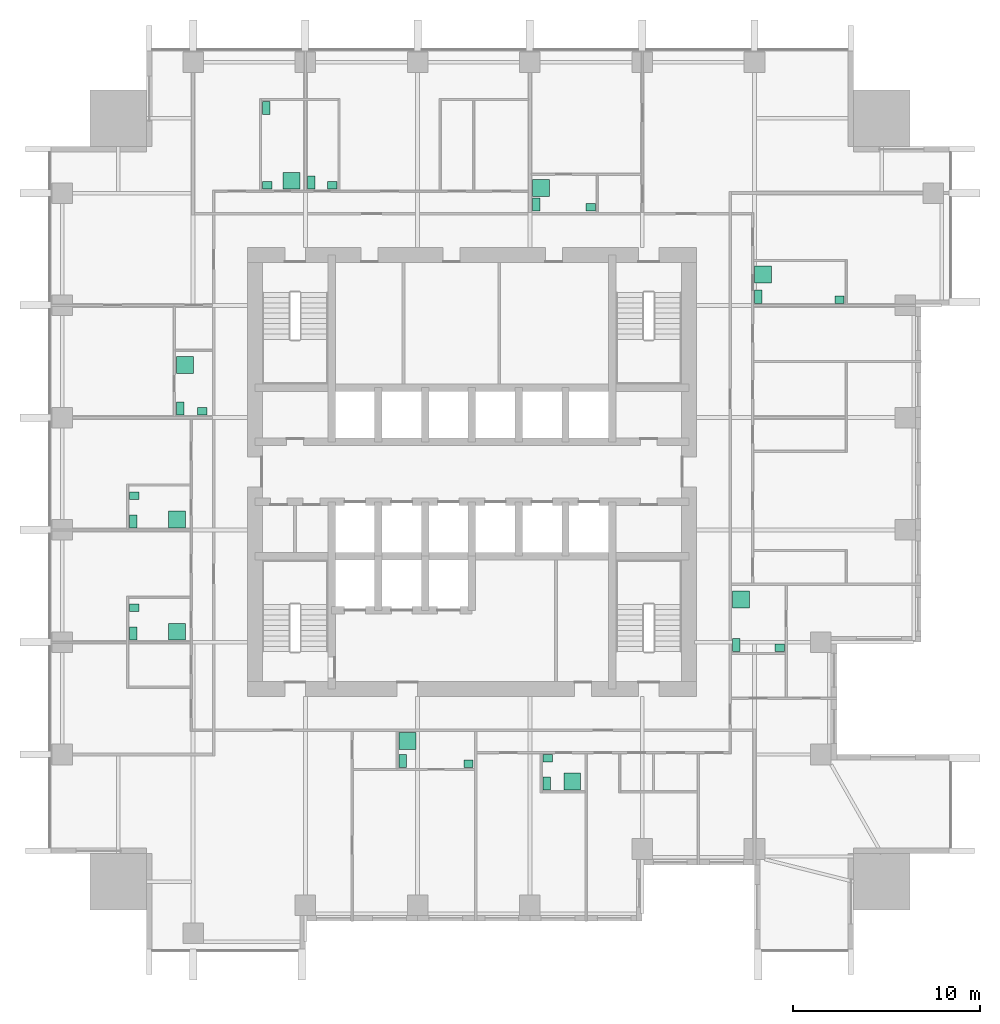
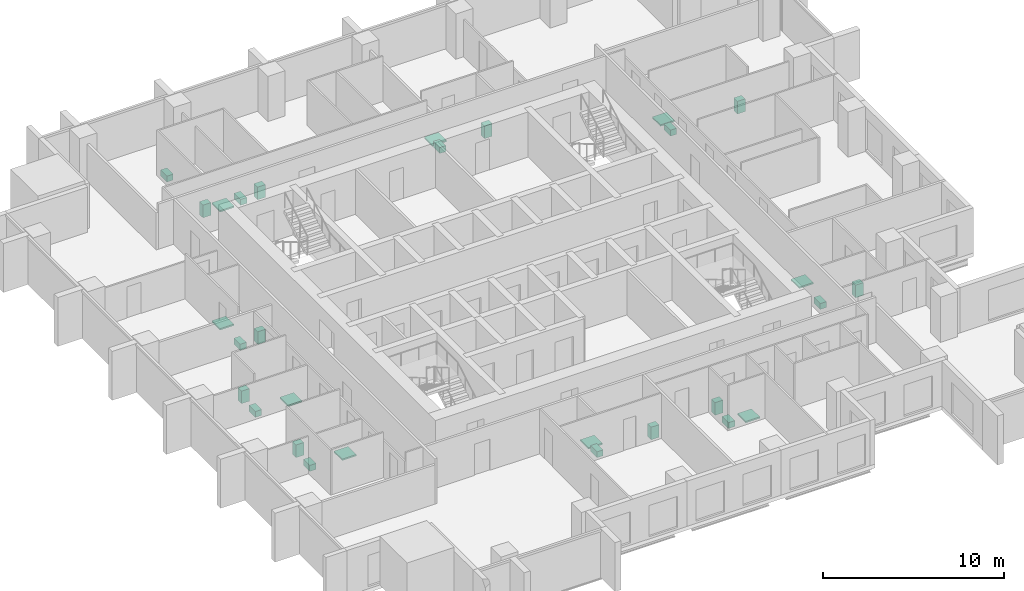
# One storey, part 10 of 10: 29 sanitary terminals.
"""IFC4 building model written with IfcOpenShell, lengths in metres."""

from ifc_helpers import new_model, si_unit, direction, frame, origin, origin_2d, place, context, subcontext, project, spatial, rectangle, extrude, element, save


model = new_model("IFC4")

# Units and contexts
model_context = context("Model", 3, precision=1e-05, world=origin(), true_north=direction((0.0, 1.0)))
body_context = subcontext(model_context, "Body", "Model", "MODEL_VIEW")
ifc_project = project(units=[si_unit("LENGTHUNIT", "METRE"), si_unit("AREAUNIT", "SQUARE_METRE"), si_unit("VOLUMEUNIT", "CUBIC_METRE"), si_unit("PLANEANGLEUNIT", "RADIAN"), si_unit("MASSUNIT", "GRAM", prefix="KILO")], contexts=[model_context])

# Site, building, storey
site_placement = place(None, origin())
site = spatial("IfcSite", under=ifc_project, at=site_placement, CompositionType="ELEMENT")
building_placement = place(site_placement, origin())
building = spatial("IfcBuilding", under=site, at=building_placement, Name="Amberfall Residences", CompositionType="ELEMENT")
storey_placement = place(building_placement, frame((0.0, 0.0, 82.0)))
storey = spatial("IfcBuildingStorey", under=building, at=storey_placement, Name="L21", CompositionType="ELEMENT", Elevation=82.0)

# Sanitary terminals
sanitary_terminal_1_placement = place(storey_placement, frame((70.81005859375, 30.06005859375, 0.0), z_axis=(0.0, 0.0, 1.0), x_axis=(1.0, 0.0, 0.0)))
element("IfcSanitaryTerminal", 1, at=sanitary_terminal_1_placement, inside=storey, Name="Water closet 2101", PredefinedType="TOILETPAN", context=body_context, shape_type="SweptSolid", body=[
    extrude(rectangle(XDim=0.39990234375, YDim=0.699951171875, at=origin_2d()), origin(), (0.0, 0.0, 1.0), 0.39990234375),
])
sanitary_terminal_2_placement = place(storey_placement, frame((74.31494140625, 29.909912109375, 0.0), z_axis=(0.0, 0.0, 1.0), x_axis=(1.0, 0.0, 0.0)))
element("IfcSanitaryTerminal", 2, at=sanitary_terminal_2_placement, inside=storey, Name="Basin 2101", PredefinedType="WASHHANDBASIN", context=body_context, shape_type="SweptSolid", body=[
    extrude(rectangle(XDim=0.5, YDim=0.39990234375, at=origin_2d()), origin(), (0.0, 0.0, 1.0), 0.85009765625),
])
sanitary_terminal_3_placement = place(storey_placement, frame((71.06005859375, 31.114990234375, 0.0), z_axis=(0.0, 0.0, 1.0), x_axis=(1.0, 0.0, 0.0)))
element("IfcSanitaryTerminal", 3, at=sanitary_terminal_3_placement, inside=storey, Name="Shower tray 2101", PredefinedType="SHOWER", context=body_context, shape_type="SweptSolid", body=[
    extrude(rectangle(XDim=0.89990234375, YDim=0.89990234375, at=origin_2d()), origin(), (0.0, 0.0, 1.0), 0.10009765625),
])
sanitary_terminal_4_placement = place(storey_placement, frame((78.510009765625, 28.860107421875, 0.0), z_axis=(0.0, 0.0, 1.0), x_axis=(1.0, 0.0, 0.0)))
element("IfcSanitaryTerminal", 4, at=sanitary_terminal_4_placement, inside=storey, Name="Water closet 2102", PredefinedType="TOILETPAN", context=body_context, shape_type="SweptSolid", body=[
    extrude(rectangle(XDim=0.39990234375, YDim=0.699951171875, at=origin_2d()), origin(), (0.0, 0.0, 1.0), 0.39990234375),
])
sanitary_terminal_5_placement = place(storey_placement, frame((78.56005859375, 30.18994140625, 0.0), z_axis=(0.0, 0.0, 1.0), x_axis=(1.0, 0.0, 0.0)))
element("IfcSanitaryTerminal", 5, at=sanitary_terminal_5_placement, inside=storey, Name="Basin 2102", PredefinedType="WASHHANDBASIN", context=body_context, shape_type="SweptSolid", body=[
    extrude(rectangle(XDim=0.5, YDim=0.39990234375, at=origin_2d()), origin(), (0.0, 0.0, 1.0), 0.85009765625),
])
sanitary_terminal_6_placement = place(storey_placement, frame((79.857177734375, 28.9599609375, 0.0), z_axis=(0.0, 0.0, 1.0), x_axis=(1.0, 0.0, 0.0)))
element("IfcSanitaryTerminal", 6, at=sanitary_terminal_6_placement, inside=storey, Name="Shower tray 2102", PredefinedType="SHOWER", context=body_context, shape_type="SweptSolid", body=[
    extrude(rectangle(XDim=0.89990234375, YDim=0.89990234375, at=origin_2d()), origin(), (0.0, 0.0, 1.0), 0.10009765625),
])
sanitary_terminal_7_placement = place(storey_placement, frame((88.635009765625, 36.260009765625, 0.0), z_axis=(0.0, 0.0, 1.0), x_axis=(1.0, 0.0, 0.0)))
element("IfcSanitaryTerminal", 7, at=sanitary_terminal_7_placement, inside=storey, Name="Water closet 2103", PredefinedType="TOILETPAN", context=body_context, shape_type="SweptSolid", body=[
    extrude(rectangle(XDim=0.39990234375, YDim=0.699951171875, at=origin_2d()), origin(), (0.0, 0.0, 1.0), 0.39990234375),
])
sanitary_terminal_8_placement = place(storey_placement, frame((90.93994140625, 36.110107421875, 0.0), z_axis=(0.0, 0.0, 1.0), x_axis=(1.0, 0.0, 0.0)))
element("IfcSanitaryTerminal", 8, at=sanitary_terminal_8_placement, inside=storey, Name="Basin 2103", PredefinedType="WASHHANDBASIN", context=body_context, shape_type="SweptSolid", body=[
    extrude(rectangle(XDim=0.5, YDim=0.39990234375, at=origin_2d()), origin(), (0.0, 0.0, 1.0), 0.85009765625),
])
sanitary_terminal_9_placement = place(storey_placement, frame((88.885009765625, 38.6826171875, 0.0), z_axis=(0.0, 0.0, 1.0), x_axis=(1.0, 0.0, 0.0)))
element("IfcSanitaryTerminal", 9, at=sanitary_terminal_9_placement, inside=storey, Name="Shower tray 2103", PredefinedType="SHOWER", context=body_context, shape_type="SweptSolid", body=[
    extrude(rectangle(XDim=0.89990234375, YDim=0.89990234375, at=origin_2d()), origin(), (0.0, 0.0, 1.0), 0.10009765625),
])
sanitary_terminal_10_placement = place(storey_placement, frame((89.81005859375, 54.860107421875, 0.0), z_axis=(0.0, 0.0, 1.0), x_axis=(1.0, 0.0, 0.0)))
element("IfcSanitaryTerminal", 10, at=sanitary_terminal_10_placement, inside=storey, Name="Water closet 2104", PredefinedType="TOILETPAN", context=body_context, shape_type="SweptSolid", body=[
    extrude(rectangle(XDim=0.39990234375, YDim=0.699951171875, at=origin_2d()), origin(), (0.0, 0.0, 1.0), 0.39990234375),
])
sanitary_terminal_11_placement = place(storey_placement, frame((94.139892578125, 54.7099609375, 0.0), z_axis=(0.0, 0.0, 1.0), x_axis=(1.0, 0.0, 0.0)))
element("IfcSanitaryTerminal", 11, at=sanitary_terminal_11_placement, inside=storey, Name="Basin 2104", PredefinedType="WASHHANDBASIN", context=body_context, shape_type="SweptSolid", body=[
    extrude(rectangle(XDim=0.5, YDim=0.39990234375, at=origin_2d()), origin(), (0.0, 0.0, 1.0), 0.85009765625),
])
sanitary_terminal_12_placement = place(storey_placement, frame((90.06005859375, 56.05712890625, 0.0), z_axis=(0.0, 0.0, 1.0), x_axis=(1.0, 0.0, 0.0)))
element("IfcSanitaryTerminal", 12, at=sanitary_terminal_12_placement, inside=storey, Name="Shower tray 2104", PredefinedType="SHOWER", context=body_context, shape_type="SweptSolid", body=[
    extrude(rectangle(XDim=0.89990234375, YDim=0.89990234375, at=origin_2d()), origin(), (0.0, 0.0, 1.0), 0.10009765625),
])
sanitary_terminal_13_placement = place(storey_placement, frame((65.909912109375, 60.9599609375, 0.0), z_axis=(0.0, 0.0, 1.0), x_axis=(1.0, 0.0, 0.0)))
element("IfcSanitaryTerminal", 13, at=sanitary_terminal_13_placement, inside=storey, Name="Water closet 2105 1", PredefinedType="TOILETPAN", context=body_context, shape_type="SweptSolid", body=[
    extrude(rectangle(XDim=0.39990234375, YDim=0.699951171875, at=origin_2d()), origin(), (0.0, 0.0, 1.0), 0.39990234375),
])
sanitary_terminal_14_placement = place(storey_placement, frame((67.0400390625, 60.81005859375, 0.0), z_axis=(0.0, 0.0, 1.0), x_axis=(1.0, 0.0, 0.0)))
element("IfcSanitaryTerminal", 14, at=sanitary_terminal_14_placement, inside=storey, Name="Basin 2105 1", PredefinedType="WASHHANDBASIN", context=body_context, shape_type="SweptSolid", body=[
    extrude(rectangle(XDim=0.5, YDim=0.39990234375, at=origin_2d()), origin(), (0.0, 0.0, 1.0), 0.85009765625),
])
sanitary_terminal_15_placement = place(storey_placement, frame((63.510009765625, 64.93994140625, 0.0), z_axis=(0.0, 0.0, 1.0), x_axis=(1.0, 0.0, 0.0)))
element("IfcSanitaryTerminal", 15, at=sanitary_terminal_15_placement, inside=storey, Name="Water closet 2105", PredefinedType="TOILETPAN", context=body_context, shape_type="SweptSolid", body=[
    extrude(rectangle(XDim=0.39990234375, YDim=0.699951171875, at=origin_2d()), origin(), (0.0, 0.0, 1.0), 0.39990234375),
])
sanitary_terminal_16_placement = place(storey_placement, frame((63.56005859375, 60.81005859375, 0.0), z_axis=(0.0, 0.0, 1.0), x_axis=(1.0, 0.0, 0.0)))
element("IfcSanitaryTerminal", 16, at=sanitary_terminal_16_placement, inside=storey, Name="Basin 2105", PredefinedType="WASHHANDBASIN", context=body_context, shape_type="SweptSolid", body=[
    extrude(rectangle(XDim=0.5, YDim=0.39990234375, at=origin_2d()), origin(), (0.0, 0.0, 1.0), 0.85009765625),
])
sanitary_terminal_17_placement = place(storey_placement, frame((64.857177734375, 61.06005859375, 0.0), z_axis=(0.0, 0.0, 1.0), x_axis=(1.0, 0.0, 0.0)))
element("IfcSanitaryTerminal", 17, at=sanitary_terminal_17_placement, inside=storey, Name="Shower tray 2105", PredefinedType="SHOWER", context=body_context, shape_type="SweptSolid", body=[
    extrude(rectangle(XDim=0.89990234375, YDim=0.89990234375, at=origin_2d()), origin(), (0.0, 0.0, 1.0), 0.10009765625),
])
sanitary_terminal_18_placement = place(storey_placement, frame((77.93505859375, 59.784912109375, 0.0), z_axis=(0.0, 0.0, 1.0), x_axis=(1.0, 0.0, 0.0)))
element("IfcSanitaryTerminal", 18, at=sanitary_terminal_18_placement, inside=storey, Name="Water closet 2106", PredefinedType="TOILETPAN", context=body_context, shape_type="SweptSolid", body=[
    extrude(rectangle(XDim=0.39990234375, YDim=0.699951171875, at=origin_2d()), origin(), (0.0, 0.0, 1.0), 0.39990234375),
])
sanitary_terminal_19_placement = place(storey_placement, frame((80.840087890625, 59.635009765625, 0.0), z_axis=(0.0, 0.0, 1.0), x_axis=(1.0, 0.0, 0.0)))
element("IfcSanitaryTerminal", 19, at=sanitary_terminal_19_placement, inside=storey, Name="Basin 2106", PredefinedType="WASHHANDBASIN", context=body_context, shape_type="SweptSolid", body=[
    extrude(rectangle(XDim=0.5, YDim=0.39990234375, at=origin_2d()), origin(), (0.0, 0.0, 1.0), 0.85009765625),
])
sanitary_terminal_20_placement = place(storey_placement, frame((78.18505859375, 60.680908203125, 0.0), z_axis=(0.0, 0.0, 1.0), x_axis=(1.0, 0.0, 0.0)))
element("IfcSanitaryTerminal", 20, at=sanitary_terminal_20_placement, inside=storey, Name="Shower tray 2106", PredefinedType="SHOWER", context=body_context, shape_type="SweptSolid", body=[
    extrude(rectangle(XDim=0.89990234375, YDim=0.89990234375, at=origin_2d()), origin(), (0.0, 0.0, 1.0), 0.10009765625),
])
sanitary_terminal_21_placement = place(storey_placement, frame((56.409912109375, 36.860107421875, 0.0), z_axis=(0.0, 0.0, 1.0), x_axis=(1.0, 0.0, 0.0)))
element("IfcSanitaryTerminal", 21, at=sanitary_terminal_21_placement, inside=storey, Name="Water closet 2107", PredefinedType="TOILETPAN", context=body_context, shape_type="SweptSolid", body=[
    extrude(rectangle(XDim=0.39990234375, YDim=0.699951171875, at=origin_2d()), origin(), (0.0, 0.0, 1.0), 0.39990234375),
])
sanitary_terminal_22_placement = place(storey_placement, frame((56.4599609375, 38.235595703125, 0.0), z_axis=(0.0, 0.0, 1.0), x_axis=(1.0, 0.0, 0.0)))
element("IfcSanitaryTerminal", 22, at=sanitary_terminal_22_placement, inside=storey, Name="Basin 2107", PredefinedType="WASHHANDBASIN", context=body_context, shape_type="SweptSolid", body=[
    extrude(rectangle(XDim=0.5, YDim=0.39990234375, at=origin_2d()), origin(), (0.0, 0.0, 1.0), 0.85009765625),
])
sanitary_terminal_23_placement = place(storey_placement, frame((58.732666015625, 36.9599609375, 0.0), z_axis=(0.0, 0.0, 1.0), x_axis=(1.0, 0.0, 0.0)))
element("IfcSanitaryTerminal", 23, at=sanitary_terminal_23_placement, inside=storey, Name="Shower tray 2107", PredefinedType="SHOWER", context=body_context, shape_type="SweptSolid", body=[
    extrude(rectangle(XDim=0.89990234375, YDim=0.89990234375, at=origin_2d()), origin(), (0.0, 0.0, 1.0), 0.10009765625),
])
sanitary_terminal_24_placement = place(storey_placement, frame((56.409912109375, 42.860107421875, 0.0), z_axis=(0.0, 0.0, 1.0), x_axis=(1.0, 0.0, 0.0)))
element("IfcSanitaryTerminal", 24, at=sanitary_terminal_24_placement, inside=storey, Name="Water closet 2107", PredefinedType="TOILETPAN", context=body_context, shape_type="SweptSolid", body=[
    extrude(rectangle(XDim=0.39990234375, YDim=0.699951171875, at=origin_2d()), origin(), (0.0, 0.0, 1.0), 0.39990234375),
])
sanitary_terminal_25_placement = place(storey_placement, frame((56.4599609375, 44.235595703125, 0.0), z_axis=(0.0, 0.0, 1.0), x_axis=(1.0, 0.0, 0.0)))
element("IfcSanitaryTerminal", 25, at=sanitary_terminal_25_placement, inside=storey, Name="Basin 2107", PredefinedType="WASHHANDBASIN", context=body_context, shape_type="SweptSolid", body=[
    extrude(rectangle(XDim=0.5, YDim=0.39990234375, at=origin_2d()), origin(), (0.0, 0.0, 1.0), 0.85009765625),
])
sanitary_terminal_26_placement = place(storey_placement, frame((58.732666015625, 42.9599609375, 0.0), z_axis=(0.0, 0.0, 1.0), x_axis=(1.0, 0.0, 0.0)))
element("IfcSanitaryTerminal", 26, at=sanitary_terminal_26_placement, inside=storey, Name="Shower tray 2107", PredefinedType="SHOWER", context=body_context, shape_type="SweptSolid", body=[
    extrude(rectangle(XDim=0.89990234375, YDim=0.89990234375, at=origin_2d()), origin(), (0.0, 0.0, 1.0), 0.10009765625),
])
sanitary_terminal_27_placement = place(storey_placement, frame((58.909912109375, 48.885009765625, 0.0), z_axis=(0.0, 0.0, 1.0), x_axis=(1.0, 0.0, 0.0)))
element("IfcSanitaryTerminal", 27, at=sanitary_terminal_27_placement, inside=storey, Name="Water closet 2108", PredefinedType="TOILETPAN", context=body_context, shape_type="SweptSolid", body=[
    extrude(rectangle(XDim=0.39990234375, YDim=0.699951171875, at=origin_2d()), origin(), (0.0, 0.0, 1.0), 0.39990234375),
])
sanitary_terminal_28_placement = place(storey_placement, frame((60.089111328125, 48.735107421875, 0.0), z_axis=(0.0, 0.0, 1.0), x_axis=(1.0, 0.0, 0.0)))
element("IfcSanitaryTerminal", 28, at=sanitary_terminal_28_placement, inside=storey, Name="Basin 2108", PredefinedType="WASHHANDBASIN", context=body_context, shape_type="SweptSolid", body=[
    extrude(rectangle(XDim=0.5, YDim=0.39990234375, at=origin_2d()), origin(), (0.0, 0.0, 1.0), 0.85009765625),
])
sanitary_terminal_29_placement = place(storey_placement, frame((59.159912109375, 51.216796875, 0.0), z_axis=(0.0, 0.0, 1.0), x_axis=(1.0, 0.0, 0.0)))
element("IfcSanitaryTerminal", 29, at=sanitary_terminal_29_placement, inside=storey, Name="Shower tray 2108", PredefinedType="SHOWER", context=body_context, shape_type="SweptSolid", body=[
    extrude(rectangle(XDim=0.89990234375, YDim=0.89990234375, at=origin_2d()), origin(), (0.0, 0.0, 1.0), 0.10009765625),
])

save(model, "model.ifc")
